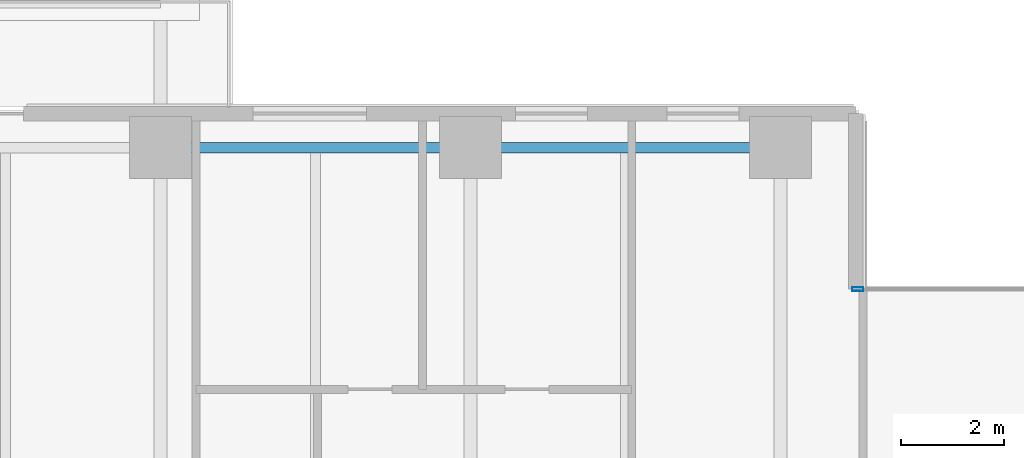
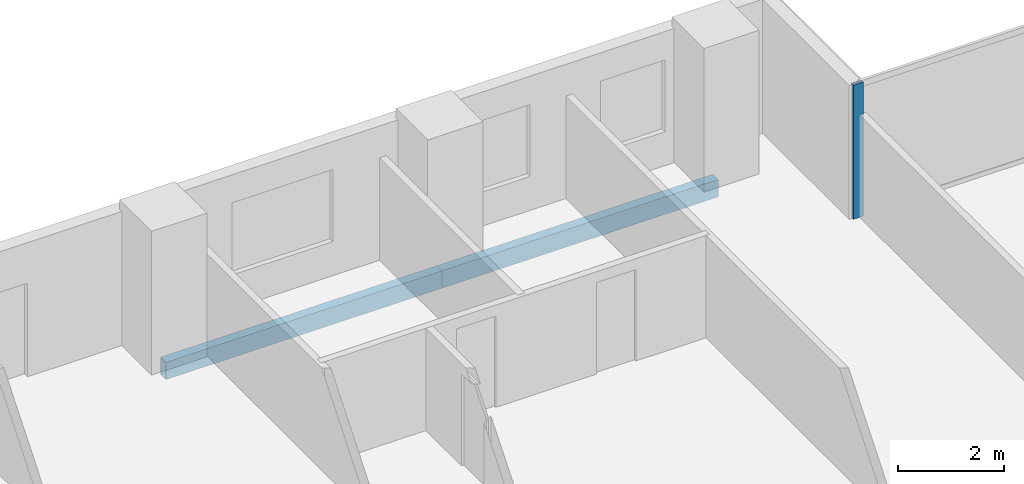
# One storey, part 9 of 33: 2 beams, 1 member, 1 element without a shape of its own.
"""IFC4 building model written with IfcOpenShell, lengths in metres."""

import ifcopenshell
import ifcopenshell.guid

model = None  # the IFC model being written
_history = None  # IfcOwnerHistory: only IFC2X3 demands one
_inside = {}  # id of a spatial element -> (the spatial element, [elements in it])
_under = {}  # id of a project, library or spatial element -> (it, [spatial elements below it])
_declared = {}  # id of a project -> (the project, [libraries it declares])
_typed = {}  # id of a type object -> (the type object, [elements of that type])
_made_of = {}  # id of a material, layer set ... -> (it, [elements and type objects made of it])


def new_model(schema):
    """Start an empty IFC model of exactly this schema.

    Asked for "IFC4X3", IfcOpenShell would pick the latest addendum, in which some entities
    have other attributes; the version numbers below select the first issue.
    IFC2X3 requires an IfcOwnerHistory on every rooted entity: one is made here for all.
    """
    global model, _history
    if schema == "IFC4X3":
        model = ifcopenshell.file(schema_version=(4, 3, 0, 0))
    else:
        model = ifcopenshell.file(schema=schema)
    _inside.clear()
    _under.clear()
    _declared.clear()
    _typed.clear()
    _made_of.clear()
    _history = None
    if model.schema == "IFC2X3":
        org = make("IfcOrganization", Name="unknown")
        user = make(
            "IfcPersonAndOrganization",
            ThePerson=make("IfcPerson", FamilyName="unknown"),
            TheOrganization=org,
        )
        app = make(
            "IfcApplication",
            ApplicationDeveloper=org,
            Version="unknown",
            ApplicationFullName="unknown",
            ApplicationIdentifier="unknown",
        )
        _history = make(
            "IfcOwnerHistory",
            OwningUser=user,
            OwningApplication=app,
            ChangeAction="ADDED",
            CreationDate=0,
        )
    return model


def make(cls, **values):
    """One entity of the class cls with the attributes given. An attribute that is None is left unset."""
    return model.create_entity(
        cls, **{name: value for name, value in values.items() if value is not None}
    )


def rooted(cls, **values):
    """An entity with a GlobalId (a new one), such as an element, a storey or a relation."""
    return make(cls, GlobalId=ifcopenshell.guid.new(), OwnerHistory=_history, **values)


def si_unit(unit_type, name, prefix=None):
    """IfcSIUnit, for example si_unit("LENGTHUNIT", "METRE", prefix="MILLI")."""
    return make("IfcSIUnit", UnitType=unit_type, Prefix=prefix, Name=name)


def assignment(units):
    """IfcUnitAssignment: the units of a project."""
    return None if units is None else make("IfcUnitAssignment", Units=units)


def point(xyz):
    """IfcCartesianPoint."""
    return None if xyz is None else make("IfcCartesianPoint", Coordinates=xyz)


def direction(xyz):
    """IfcDirection."""
    return None if xyz is None else make("IfcDirection", DirectionRatios=xyz)


def frame(location, z_axis=None, x_axis=None):
    """IfcAxis2Placement3D, a coordinate frame: its origin and axes. An axis left out is left unset."""
    return make(
        "IfcAxis2Placement3D",
        Location=point(location),
        Axis=direction(z_axis),
        RefDirection=direction(x_axis),
    )


def frame_2d(location, x_axis=None):
    """IfcAxis2Placement2D, a coordinate frame in the plane: its origin and x axis."""
    return make(
        "IfcAxis2Placement2D", Location=point(location), RefDirection=direction(x_axis)
    )


def origin():
    """The frame at (0, 0, 0) with its axes left unset."""
    return frame((0.0, 0.0, 0.0))


def origin_2d():
    """The frame at (0, 0) in the plane with its x axis left unset."""
    return frame_2d((0.0, 0.0))


def place(relative_to, where):
    """IfcLocalPlacement: puts the frame where relative to a parent placement (None: the world)."""
    return make(
        "IfcLocalPlacement", PlacementRelTo=relative_to, RelativePlacement=where
    )


def context(
    kind, dimensions, precision=None, world=None, true_north=None, identifier=None
):
    """IfcGeometricRepresentationContext, for example the 3D "Model" context."""
    return make(
        "IfcGeometricRepresentationContext",
        ContextIdentifier=identifier,
        ContextType=kind,
        CoordinateSpaceDimension=dimensions,
        Precision=precision,
        WorldCoordinateSystem=world,
        TrueNorth=true_north,
    )


def subcontext(parent, identifier, kind, view, scale=None):
    """IfcGeometricRepresentationSubContext, for example "Body" below "Model"."""
    return make(
        "IfcGeometricRepresentationSubContext",
        ContextIdentifier=identifier,
        ContextType=kind,
        ParentContext=parent,
        TargetScale=scale,
        TargetView=view,
    )


def project(units=None, contexts=None):
    """IfcProject with its units and contexts."""
    return rooted(
        "IfcProject",
        Name="project",
        RepresentationContexts=contexts,
        UnitsInContext=assignment(units),
    )


def spatial(cls, under=None, at=None, **own):
    """A site, building, storey or space (cls), placed at a placement, below another one or the project."""
    s = rooted(cls, ObjectPlacement=at, **own)
    if under is not None:
        _under.setdefault(under.id(), (under, []))[1].append(s)
    return s


def profile(cls, at=None, kind="AREA", **sizes):
    """A parametric profile (cls). Its sizes go by their IFC names, for example OverallWidth=200.0."""
    return make(cls, ProfileType=kind, Position=at, **sizes)


def hollow_rectangle(**sizes):
    """IfcRectangleHollowProfileDef."""
    return profile("IfcRectangleHollowProfileDef", **sizes)


def extrude(swept, where, along, depth):
    """IfcExtrudedAreaSolid: the profile swept, set in the frame where, extruded along a direction by depth."""
    return make(
        "IfcExtrudedAreaSolid",
        SweptArea=swept,
        Position=where,
        ExtrudedDirection=direction(along),
        Depth=depth,
    )


def shape(context_of_items, identifier, shape_type, items):
    """IfcShapeRepresentation: the items that make up one representation, for example the "Body"."""
    return make(
        "IfcShapeRepresentation",
        ContextOfItems=context_of_items,
        RepresentationIdentifier=identifier,
        RepresentationType=shape_type,
        Items=items,
    )


def material(Name=None, Category=None):
    """IfcMaterial."""
    return make("IfcMaterial", Name=Name, Category=Category)


def layer(
    of_material, thickness, ventilated=None, Name=None, Category=None, Priority=None
):
    """IfcMaterialLayer: one layer of a wall or slab, of a material (None: an air gap)."""
    return make(
        "IfcMaterialLayer",
        Material=of_material,
        LayerThickness=thickness,
        IsVentilated=ventilated,
        Name=Name,
        Category=Category,
        Priority=Priority,
    )


def layer_set(layers, Name=None):
    """IfcMaterialLayerSet."""
    return make("IfcMaterialLayerSet", MaterialLayers=layers, LayerSetName=Name)


def material_profile(
    of_material, cross_section, Name=None, Category=None, Priority=None
):
    """IfcMaterialProfile: a cross section and its material."""
    return make(
        "IfcMaterialProfile",
        Name=Name,
        Material=of_material,
        Profile=cross_section,
        Priority=Priority,
        Category=Category,
    )


def profile_set(profiles, Name=None, composite=None):
    """IfcMaterialProfileSet."""
    return make(
        "IfcMaterialProfileSet",
        Name=Name,
        MaterialProfiles=profiles,
        CompositeProfile=composite,
    )


def made_of(thing, what):
    """Note that an element or type object is made of a material, layer set ...; save() writes the relation."""
    if what is not None:
        _made_of.setdefault(what.id(), (what, []))[1].append(thing)
    return thing


def type_object(cls, material=None, **own):
    """A type object (cls), such as IfcWallType, which elements share."""
    return made_of(rooted(cls, **own), material)


def element(
    cls,
    number,
    at=None,
    inside=None,
    cuts=None,
    type_object=None,
    material=None,
    context=None,
    identifier="Body",
    shape_type=None,
    held_by="IfcProductDefinitionShape",
    body=None,
    shapes=None,
    **own,
):
    """One element of the class cls, such as IfcWall. Its Tag is "e" and its number.

    at: its placement. inside: the storey or other place that contains it. cuts: it is an
    opening in that element (IfcRelVoidsElement). A single representation is given by context,
    identifier, shape_type and body (its items); several are given by shapes. held_by: the class
    of the entity that holds the representations. save() writes the other relations.
    """
    e = rooted(cls, Tag="e%d" % number, ObjectPlacement=at, **own)
    if body is not None:
        shapes = [shape(context, identifier, shape_type, body)]
    if shapes is not None:
        e.Representation = make(held_by, Representations=shapes)
    if inside is not None:
        _inside.setdefault(inside.id(), (inside, []))[1].append(e)
    if cuts is not None:
        rooted(
            "IfcRelVoidsElement", RelatingBuildingElement=cuts, RelatedOpeningElement=e
        )
    if type_object is not None:
        _typed.setdefault(type_object.id(), (type_object, []))[1].append(e)
    return made_of(e, material)


def aggregate(whole, parts):
    """IfcRelAggregates: a whole, such as a stair, and the parts it consists of."""
    return rooted("IfcRelAggregates", RelatingObject=whole, RelatedObjects=parts)


def save(model, path):
    """Write the relations noted so far, then the file.

    IfcRelAggregates (storeys below a building ...), IfcRelContainedInSpatialStructure (elements
    in a storey), IfcRelDefinesByType, IfcRelAssociatesMaterial and IfcRelDeclares: one each for
    every whole, place, type object, material and project.
    """
    for whole, parts in _under.values():
        aggregate(whole, parts)
    for where, things in _inside.values():
        rooted(
            "IfcRelContainedInSpatialStructure",
            RelatedElements=things,
            RelatingStructure=where,
        )
    for kind, things in _typed.values():
        rooted("IfcRelDefinesByType", RelatedObjects=things, RelatingType=kind)
    for what, things in _made_of.values():
        rooted("IfcRelAssociatesMaterial", RelatedObjects=things, RelatingMaterial=what)
    for by, libraries in _declared.values():
        rooted("IfcRelDeclares", RelatingContext=by, RelatedDefinitions=libraries)
    model.write(path)


model = new_model("IFC4")

# Units and contexts
model_context = context("Model", 3, precision=1e-05, world=origin(), true_north=direction((0.0, 1.0)))
body_context = subcontext(model_context, "Body", "Model", "MODEL_VIEW")
ifc_project = project(units=[si_unit("LENGTHUNIT", "METRE"), si_unit("AREAUNIT", "SQUARE_METRE"), si_unit("VOLUMEUNIT", "CUBIC_METRE"), si_unit("PLANEANGLEUNIT", "RADIAN"), si_unit("MASSUNIT", "GRAM", prefix="KILO")], contexts=[model_context])

# Site, building, storey
site_placement = place(None, origin())
site = spatial("IfcSite", under=ifc_project, at=site_placement, CompositionType="ELEMENT")
building_placement = place(site_placement, origin())
building = spatial("IfcBuilding", under=site, at=building_placement, Name="Tanjung Sevakor Pilgrim Tower", CompositionType="ELEMENT")
storey_placement = place(building_placement, frame((0.0, 0.0, 32.340087890625)))
storey = spatial("IfcBuildingStorey", under=building, at=storey_placement, Name="L08", CompositionType="ELEMENT", Elevation=32.340087890625)

# Beams
ifc_material_1 = material(Name="Steel S355J2", Category="steel")
ifc_material_profile_1 = material_profile(ifc_material_1, hollow_rectangle(XDim=0.199951171875, YDim=0.39990234375, WallThickness=0.01611328125, at=origin_2d()))
ifc_profile_set_1 = profile_set([ifc_material_profile_1], Name="Steel S355J2")
beam_type = type_object("IfcBeamType", Name="BM-B-SP2-RHS_400x200x16", PredefinedType="SPANDREL", material=ifc_profile_set_1)
for number, where, z_axis, x_axis, name in (
    (1, (30.0, 58.800048828125, -0.420166015625), (1.0, 0.0, 0.0), (0.0, 1.0, 0.0), "L08 Spandrel MAIN N-04"),
    (2, (36.0, 58.800048828125, -0.420166015625), (1.0, 0.0, 0.0), (0.0, 1.0, 0.0), "L08 Spandrel MAIN N-06"),
):
    element("IfcBeam", number, at=place(storey_placement, frame(where, z_axis=z_axis, x_axis=x_axis)), inside=storey, type_object=beam_type, Name=name, PredefinedType="SPANDREL", context=body_context, shape_type="SweptSolid", body=[
        extrude(hollow_rectangle(XDim=0.199951171875, YDim=0.39990234375, WallThickness=0.01611328125, at=origin_2d()), origin(), (0.0, 0.0, 1.0), 6.0),
    ])

# Curtain wall, member
ifc_material_2 = material(Name="Aluminium 6063-T6 and Low-E Glass", Category="aluminium")
ifc_layer = layer(ifc_material_2, 0.179931640625)
ifc_layer_set = layer_set([ifc_layer], Name="CW-SYS-CLEFT")
curtain_wall_type = type_object("IfcCurtainWallType", Name="CW-SYS-CLEFT", PredefinedType="NOTDEFINED", material=ifc_layer_set)
curtain_wall_placement = place(storey_placement, origin())
curtain_wall = element("IfcCurtainWall", 3, at=curtain_wall_placement, inside=storey, type_object=curtain_wall_type, Name="L08 Curtain Wall CW-CLF-L08-10", PredefinedType="NOTDEFINED")
ifc_material_3 = material(Name="Aluminium 6063-T6", Category="aluminium")
ifc_material_profile_2 = material_profile(ifc_material_3, hollow_rectangle(XDim=0.074951171875, YDim=0.219970703125, WallThickness=0.0048828125, at=origin_2d()))
ifc_profile_set_2 = profile_set([ifc_material_profile_2], Name="Aluminium 6063-T6")
member_type = type_object("IfcMemberType", Name="TYPE-CWM-2", PredefinedType="MULLION", material=ifc_profile_set_2)
member_placement = place(storey_placement, frame((43.49755859375, 56.06005859375, 0.0), z_axis=(0.0, 0.0, 1.0), x_axis=(0.0, -1.0, 0.0)))
member = element("IfcMember", 4, at=member_placement, type_object=member_type, Name="CW-CLF mullion 2", PredefinedType="MULLION", context=body_context, shape_type="SweptSolid", body=[
    extrude(hollow_rectangle(XDim=0.074951171875, YDim=0.219970703125, WallThickness=0.0048828125, at=origin_2d()), origin(), (0.0, 0.0, 1.0), 3.079833984375),
])
aggregate(curtain_wall, [member])

save(model, "model.ifc")
